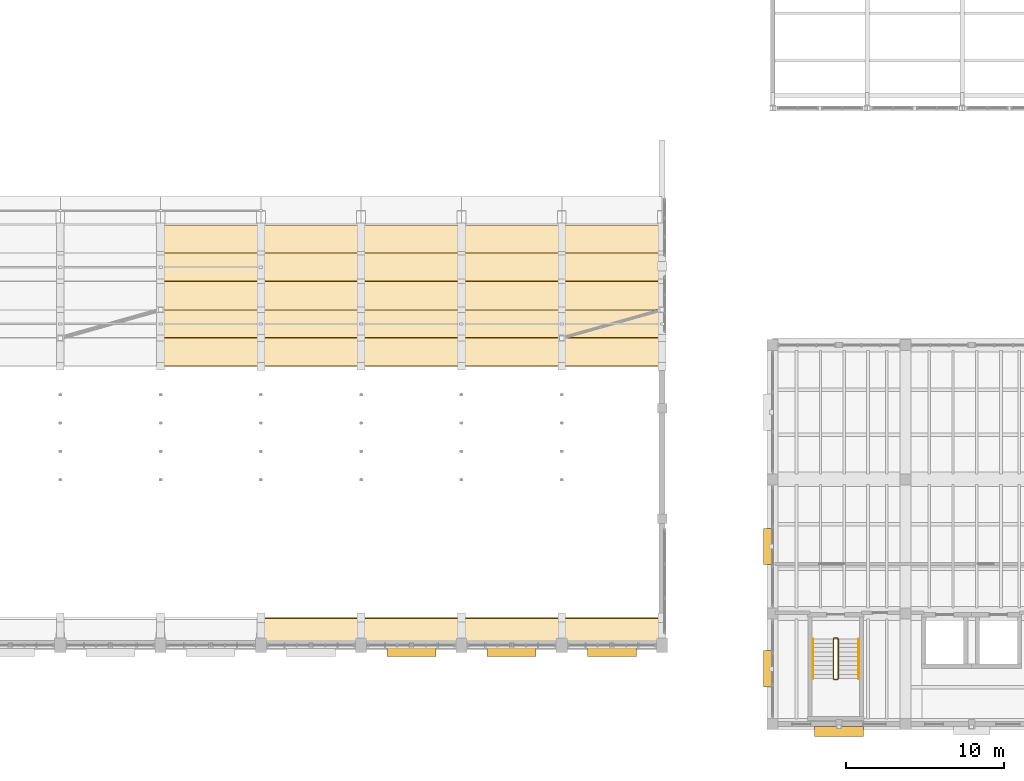
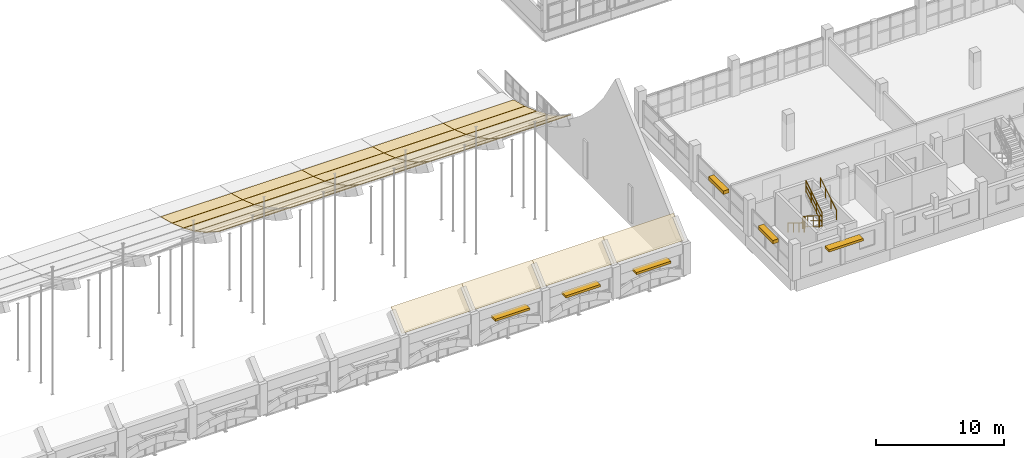
# One storey, part 74 of 77: 29 coverings, 6 railings, 6 shading devices.
"""IFC4 building model written with IfcOpenShell, lengths in metres."""

from ifc_helpers import new_model, si_unit, direction, frame, origin, origin_2d, place, context, subcontext, project, spatial, polyline, rectangle, circle, outline, extrude, material, layer, layer_set, type_object, element, save


model = new_model("IFC4")

# Units and contexts
model_context = context("Model", 3, precision=1e-05, world=origin(), true_north=direction((0.0, 1.0)))
body_context = subcontext(model_context, "Body", "Model", "MODEL_VIEW")
ifc_project = project(units=[si_unit("LENGTHUNIT", "METRE"), si_unit("AREAUNIT", "SQUARE_METRE"), si_unit("VOLUMEUNIT", "CUBIC_METRE"), si_unit("PLANEANGLEUNIT", "RADIAN"), si_unit("MASSUNIT", "GRAM", prefix="KILO")], contexts=[model_context])

# Site, building, storey
site_placement = place(None, origin())
site = spatial("IfcSite", under=ifc_project, at=site_placement, CompositionType="ELEMENT")
building_placement = place(site_placement, origin())
building = spatial("IfcBuilding", under=site, at=building_placement, Name="Trellovar Central Fire Station", CompositionType="ELEMENT")
storey_placement = place(building_placement, frame((0.0, 0.0, 5.85009765625)))
storey = spatial("IfcBuildingStorey", under=building, at=storey_placement, Name="L02", CompositionType="ELEMENT", Elevation=5.85009765625)

# Coverings
ifc_material_1 = material(Name="Glazed ceramic trencadis roofing", Category="masonry")
ifc_layer_1 = layer(ifc_material_1, 0.06005859375)
ifc_layer_set_1 = layer_set([ifc_layer_1], Name="Glazed ceramic trencadis roofing")
covering_type = type_object("IfcCoveringType", Name="COV-RF1", PredefinedType="ROOFING", material=ifc_layer_set_1)
covering_1_placement = place(storey_placement, frame((66.75, 31.688232421875, 4.226806640625), z_axis=(0.0, 0.549543979081, 0.835464789836), x_axis=(1.0, 0.0, 0.0)))
element("IfcCovering", 1, at=covering_1_placement, inside=storey, type_object=covering_type, Name="Glazed trencadis vault covering V1-06-11", PredefinedType="ROOFING", context=body_context, shape_type="SweptSolid", body=[
    extrude(outline(polyline([(0.0, 0.0), (6.35009765625, 0.0), (6.35009765625, 2.1022401872783076), (0.0, 2.1022401872783076), (0.0, 0.0)])), origin(), (0.0, 0.0, -1.0), 0.06005859375),
])
covering_2_placement = place(storey_placement, frame((66.75, 33.477294921875, 3.0537109375), z_axis=(0.0, 0.476141734804, 0.879368550937), x_axis=(1.0, 0.0, 0.0)))
element("IfcCovering", 2, at=covering_2_placement, inside=storey, type_object=covering_type, Name="Glazed trencadis vault covering V1-06-12", PredefinedType="ROOFING", context=body_context, shape_type="SweptSolid", body=[
    extrude(outline(polyline([(0.0, 0.0), (6.35009765625, 0.0), (6.35009765625, 2.002280142522104), (0.0, 2.002280142522104), (0.0, 0.0)])), origin(), (0.0, 0.0, -1.0), 0.06005859375),
])
covering_3_placement = place(storey_placement, frame((66.75, 35.26611328125, 2.087646484375), z_axis=(0.0, 0.402929505594, 0.915231016477), x_axis=(1.0, 0.0, 0.0)))
element("IfcCovering", 3, at=covering_3_placement, inside=storey, type_object=covering_type, Name="Glazed trencadis vault covering V1-06-13", PredefinedType="ROOFING", context=body_context, shape_type="SweptSolid", body=[
    extrude(outline(polyline([(0.0, 0.0), (6.35009765625, 0.0), (6.35009765625, 1.9286242347254414), (0.0, 1.9286242347254414), (0.0, 0.0)])), origin(), (0.0, 0.0, -1.0), 0.06005859375),
])
covering_4_placement = place(storey_placement, frame((66.75, 37.05517578125, 1.302001953125), z_axis=(0.0, 0.329561198242, 0.94413421536), x_axis=(1.0, 0.0, 0.0)))
element("IfcCovering", 4, at=covering_4_placement, inside=storey, type_object=covering_type, Name="Glazed trencadis vault covering V1-06-14", PredefinedType="ROOFING", context=body_context, shape_type="SweptSolid", body=[
    extrude(outline(polyline([(0.0, 0.0), (6.35009765625, 0.0), (6.35009765625, 1.8742369688674272), (0.0, 1.8742369688674272), (0.0, 0.0)])), origin(), (0.0, 0.0, -1.0), 0.06005859375),
])
covering_5_placement = place(storey_placement, frame((66.75, 38.843994140625, 0.678955078125), z_axis=(0.0, 0.256345926004, 0.966585105524), x_axis=(1.0, 0.0, 0.0)))
element("IfcCovering", 5, at=covering_5_placement, inside=storey, type_object=covering_type, Name="Glazed trencadis vault covering V1-06-15", PredefinedType="ROOFING", context=body_context, shape_type="SweptSolid", body=[
    extrude(outline(polyline([(0.0, 0.0), (6.35009765625, 0.0), (6.35009765625, 1.8352504824580702), (0.0, 1.8352504824580702), (0.0, 0.0)])), origin(), (0.0, 0.0, -1.0), 0.06005859375),
])
covering_6_placement = place(storey_placement, frame((73.10009765625, 14.001953125, 3.01171875), z_axis=(0.0, -0.667689886388, 0.744439531202), x_axis=(1.0, 0.0, 0.0)))
element("IfcCovering", 6, at=covering_6_placement, inside=storey, type_object=covering_type, Name="Glazed trencadis vault covering V1-07-01", PredefinedType="ROOFING", context=body_context, shape_type="SweptSolid", body=[
    extrude(outline(polyline([(0.0, 0.0), (6.349853515625, 0.0), (6.349853515625, 2.287139045399087), (0.0, 2.287139045399087), (0.0, 0.0)])), origin(), (0.0, 0.0, -1.0), 0.06005859375),
])
covering_7_placement = place(storey_placement, frame((73.10009765625, 31.688232421875, 4.226806640625), z_axis=(0.0, 0.549543979081, 0.835464789836), x_axis=(1.0, 0.0, 0.0)))
element("IfcCovering", 7, at=covering_7_placement, inside=storey, type_object=covering_type, Name="Glazed trencadis vault covering V1-07-11", PredefinedType="ROOFING", context=body_context, shape_type="SweptSolid", body=[
    extrude(outline(polyline([(0.0, 0.0), (6.349853515625, 0.0), (6.349853515625, 2.102240187278308), (0.0, 2.102240187278308), (0.0, 0.0)])), origin(), (0.0, 0.0, -1.0), 0.06005859375),
])
covering_8_placement = place(storey_placement, frame((73.10009765625, 33.477294921875, 3.0537109375), z_axis=(0.0, 0.476141734804, 0.879368550937), x_axis=(1.0, 0.0, 0.0)))
element("IfcCovering", 8, at=covering_8_placement, inside=storey, type_object=covering_type, Name="Glazed trencadis vault covering V1-07-12", PredefinedType="ROOFING", context=body_context, shape_type="SweptSolid", body=[
    extrude(outline(polyline([(0.0, 0.0), (6.349853515625, 0.0), (6.349853515625, 2.0022801425221037), (0.0, 2.0022801425221037), (0.0, 0.0)])), origin(), (0.0, 0.0, -1.0), 0.06005859375),
])
covering_9_placement = place(storey_placement, frame((73.10009765625, 35.26611328125, 2.087646484375), z_axis=(0.0, 0.402929505594, 0.915231016477), x_axis=(1.0, 0.0, 0.0)))
element("IfcCovering", 9, at=covering_9_placement, inside=storey, type_object=covering_type, Name="Glazed trencadis vault covering V1-07-13", PredefinedType="ROOFING", context=body_context, shape_type="SweptSolid", body=[
    extrude(outline(polyline([(0.0, 0.0), (6.349853515625, 0.0), (6.349853515625, 1.9286242347254412), (0.0, 1.9286242347254412), (0.0, 0.0)])), origin(), (0.0, 0.0, -1.0), 0.06005859375),
])
covering_10_placement = place(storey_placement, frame((73.10009765625, 37.05517578125, 1.302001953125), z_axis=(0.0, 0.329561198242, 0.94413421536), x_axis=(1.0, 0.0, 0.0)))
element("IfcCovering", 10, at=covering_10_placement, inside=storey, type_object=covering_type, Name="Glazed trencadis vault covering V1-07-14", PredefinedType="ROOFING", context=body_context, shape_type="SweptSolid", body=[
    extrude(outline(polyline([(0.0, 0.0), (6.349853515625, 0.0), (6.349853515625, 1.8742369688674272), (0.0, 1.8742369688674272), (0.0, 0.0)])), origin(), (0.0, 0.0, -1.0), 0.06005859375),
])
covering_11_placement = place(storey_placement, frame((73.10009765625, 38.843994140625, 0.678955078125), z_axis=(0.0, 0.256345926004, 0.966585105524), x_axis=(1.0, 0.0, 0.0)))
element("IfcCovering", 11, at=covering_11_placement, inside=storey, type_object=covering_type, Name="Glazed trencadis vault covering V1-07-15", PredefinedType="ROOFING", context=body_context, shape_type="SweptSolid", body=[
    extrude(outline(polyline([(0.0, 0.0), (6.349853515625, 0.0), (6.349853515625, 1.8352504824580702), (0.0, 1.8352504824580702), (0.0, 0.0)])), origin(), (0.0, 0.0, -1.0), 0.06005859375),
])
covering_12_placement = place(storey_placement, frame((79.449951171875, 14.001953125, 3.01171875), z_axis=(0.0, -0.667689886388, 0.744439531202), x_axis=(1.0, 0.0, 0.0)))
element("IfcCovering", 12, at=covering_12_placement, inside=storey, type_object=covering_type, Name="Glazed trencadis vault covering V1-08-01", PredefinedType="ROOFING", context=body_context, shape_type="SweptSolid", body=[
    extrude(outline(polyline([(0.0, 0.0), (6.35009765625, 0.0), (6.35009765625, 2.287139045399086), (0.0, 2.287139045399086), (0.0, 0.0)])), origin(), (0.0, 0.0, -1.0), 0.06005859375),
])
covering_13_placement = place(storey_placement, frame((79.449951171875, 31.688232421875, 4.226806640625), z_axis=(0.0, 0.549543979081, 0.835464789836), x_axis=(1.0, 0.0, 0.0)))
element("IfcCovering", 13, at=covering_13_placement, inside=storey, type_object=covering_type, Name="Glazed trencadis vault covering V1-08-11", PredefinedType="ROOFING", context=body_context, shape_type="SweptSolid", body=[
    extrude(outline(polyline([(0.0, 0.0), (6.35009765625, 0.0), (6.35009765625, 2.1022401872783076), (0.0, 2.1022401872783076), (0.0, 0.0)])), origin(), (0.0, 0.0, -1.0), 0.06005859375),
])
covering_14_placement = place(storey_placement, frame((79.449951171875, 33.477294921875, 3.0537109375), z_axis=(0.0, 0.476141734804, 0.879368550937), x_axis=(1.0, 0.0, 0.0)))
element("IfcCovering", 14, at=covering_14_placement, inside=storey, type_object=covering_type, Name="Glazed trencadis vault covering V1-08-12", PredefinedType="ROOFING", context=body_context, shape_type="SweptSolid", body=[
    extrude(outline(polyline([(0.0, 0.0), (6.35009765625, 0.0), (6.35009765625, 2.002280142522104), (0.0, 2.002280142522104), (0.0, 0.0)])), origin(), (0.0, 0.0, -1.0), 0.06005859375),
])
covering_15_placement = place(storey_placement, frame((79.449951171875, 35.26611328125, 2.087646484375), z_axis=(0.0, 0.402929505594, 0.915231016477), x_axis=(1.0, 0.0, 0.0)))
element("IfcCovering", 15, at=covering_15_placement, inside=storey, type_object=covering_type, Name="Glazed trencadis vault covering V1-08-13", PredefinedType="ROOFING", context=body_context, shape_type="SweptSolid", body=[
    extrude(outline(polyline([(0.0, 0.0), (6.35009765625, 0.0), (6.35009765625, 1.9286242347254414), (0.0, 1.9286242347254414), (0.0, 0.0)])), origin(), (0.0, 0.0, -1.0), 0.06005859375),
])
covering_16_placement = place(storey_placement, frame((79.449951171875, 37.05517578125, 1.302001953125), z_axis=(0.0, 0.329561198242, 0.94413421536), x_axis=(1.0, 0.0, 0.0)))
element("IfcCovering", 16, at=covering_16_placement, inside=storey, type_object=covering_type, Name="Glazed trencadis vault covering V1-08-14", PredefinedType="ROOFING", context=body_context, shape_type="SweptSolid", body=[
    extrude(outline(polyline([(0.0, 0.0), (6.35009765625, 0.0), (6.35009765625, 1.8742369688674272), (0.0, 1.8742369688674272), (0.0, 0.0)])), origin(), (0.0, 0.0, -1.0), 0.06005859375),
])
covering_17_placement = place(storey_placement, frame((79.449951171875, 38.843994140625, 0.678955078125), z_axis=(0.0, 0.256345926004, 0.966585105524), x_axis=(1.0, 0.0, 0.0)))
element("IfcCovering", 17, at=covering_17_placement, inside=storey, type_object=covering_type, Name="Glazed trencadis vault covering V1-08-15", PredefinedType="ROOFING", context=body_context, shape_type="SweptSolid", body=[
    extrude(outline(polyline([(0.0, 0.0), (6.35009765625, 0.0), (6.35009765625, 1.8352504824580702), (0.0, 1.8352504824580702), (0.0, 0.0)])), origin(), (0.0, 0.0, -1.0), 0.06005859375),
])
covering_18_placement = place(storey_placement, frame((85.800048828125, 14.001953125, 3.01171875), z_axis=(0.0, -0.667689886388, 0.744439531202), x_axis=(1.0, 0.0, 0.0)))
element("IfcCovering", 18, at=covering_18_placement, inside=storey, type_object=covering_type, Name="Glazed trencadis vault covering V1-09-01", PredefinedType="ROOFING", context=body_context, shape_type="SweptSolid", body=[
    extrude(outline(polyline([(0.0, 0.0), (6.349853515625, 0.0), (6.349853515625, 2.287139045399087), (0.0, 2.287139045399087), (0.0, 0.0)])), origin(), (0.0, 0.0, -1.0), 0.06005859375),
])
covering_19_placement = place(storey_placement, frame((85.800048828125, 31.688232421875, 4.226806640625), z_axis=(0.0, 0.549543979081, 0.835464789836), x_axis=(1.0, 0.0, 0.0)))
element("IfcCovering", 19, at=covering_19_placement, inside=storey, type_object=covering_type, Name="Glazed trencadis vault covering V1-09-11", PredefinedType="ROOFING", context=body_context, shape_type="SweptSolid", body=[
    extrude(outline(polyline([(0.0, 0.0), (6.349853515625, 0.0), (6.349853515625, 2.102240187278308), (0.0, 2.102240187278308), (0.0, 0.0)])), origin(), (0.0, 0.0, -1.0), 0.06005859375),
])
covering_20_placement = place(storey_placement, frame((85.800048828125, 33.477294921875, 3.0537109375), z_axis=(0.0, 0.476141734804, 0.879368550937), x_axis=(1.0, 0.0, 0.0)))
element("IfcCovering", 20, at=covering_20_placement, inside=storey, type_object=covering_type, Name="Glazed trencadis vault covering V1-09-12", PredefinedType="ROOFING", context=body_context, shape_type="SweptSolid", body=[
    extrude(outline(polyline([(0.0, 0.0), (6.349853515625, 0.0), (6.349853515625, 2.0022801425221037), (0.0, 2.0022801425221037), (0.0, 0.0)])), origin(), (0.0, 0.0, -1.0), 0.06005859375),
])
covering_21_placement = place(storey_placement, frame((85.800048828125, 35.26611328125, 2.087646484375), z_axis=(0.0, 0.402929505594, 0.915231016477), x_axis=(1.0, 0.0, 0.0)))
element("IfcCovering", 21, at=covering_21_placement, inside=storey, type_object=covering_type, Name="Glazed trencadis vault covering V1-09-13", PredefinedType="ROOFING", context=body_context, shape_type="SweptSolid", body=[
    extrude(outline(polyline([(0.0, 0.0), (6.349853515625, 0.0), (6.349853515625, 1.9286242347254412), (0.0, 1.9286242347254412), (0.0, 0.0)])), origin(), (0.0, 0.0, -1.0), 0.06005859375),
])
covering_22_placement = place(storey_placement, frame((85.800048828125, 37.05517578125, 1.302001953125), z_axis=(0.0, 0.329561198242, 0.94413421536), x_axis=(1.0, 0.0, 0.0)))
element("IfcCovering", 22, at=covering_22_placement, inside=storey, type_object=covering_type, Name="Glazed trencadis vault covering V1-09-14", PredefinedType="ROOFING", context=body_context, shape_type="SweptSolid", body=[
    extrude(outline(polyline([(0.0, 0.0), (6.349853515625, 0.0), (6.349853515625, 1.8742369688674272), (0.0, 1.8742369688674272), (0.0, 0.0)])), origin(), (0.0, 0.0, -1.0), 0.06005859375),
])
covering_23_placement = place(storey_placement, frame((85.800048828125, 38.843994140625, 0.678955078125), z_axis=(0.0, 0.256345926004, 0.966585105524), x_axis=(1.0, 0.0, 0.0)))
element("IfcCovering", 23, at=covering_23_placement, inside=storey, type_object=covering_type, Name="Glazed trencadis vault covering V1-09-15", PredefinedType="ROOFING", context=body_context, shape_type="SweptSolid", body=[
    extrude(outline(polyline([(0.0, 0.0), (6.349853515625, 0.0), (6.349853515625, 1.8352504824580702), (0.0, 1.8352504824580702), (0.0, 0.0)])), origin(), (0.0, 0.0, -1.0), 0.06005859375),
])
covering_24_placement = place(storey_placement, frame((92.14990234375, 14.001953125, 3.01171875), z_axis=(0.0, -0.667689886388, 0.744439531202), x_axis=(1.0, 0.0, 0.0)))
element("IfcCovering", 24, at=covering_24_placement, inside=storey, type_object=covering_type, Name="Glazed trencadis vault covering V1-10-01", PredefinedType="ROOFING", context=body_context, shape_type="SweptSolid", body=[
    extrude(outline(polyline([(0.0, 0.0), (6.35009765625, 0.0), (6.35009765625, 2.287139045399086), (0.0, 2.287139045399086), (0.0, 0.0)])), origin(), (0.0, 0.0, -1.0), 0.06005859375),
])
covering_25_placement = place(storey_placement, frame((92.14990234375, 31.688232421875, 4.226806640625), z_axis=(0.0, 0.549543979081, 0.835464789836), x_axis=(1.0, 0.0, 0.0)))
element("IfcCovering", 25, at=covering_25_placement, inside=storey, type_object=covering_type, Name="Glazed trencadis vault covering V1-10-11", PredefinedType="ROOFING", context=body_context, shape_type="SweptSolid", body=[
    extrude(outline(polyline([(0.0, 0.0), (6.35009765625, 0.0), (6.35009765625, 2.1022401872783076), (0.0, 2.1022401872783076), (0.0, 0.0)])), origin(), (0.0, 0.0, -1.0), 0.06005859375),
])
covering_26_placement = place(storey_placement, frame((92.14990234375, 33.477294921875, 3.0537109375), z_axis=(0.0, 0.476141734804, 0.879368550937), x_axis=(1.0, 0.0, 0.0)))
element("IfcCovering", 26, at=covering_26_placement, inside=storey, type_object=covering_type, Name="Glazed trencadis vault covering V1-10-12", PredefinedType="ROOFING", context=body_context, shape_type="SweptSolid", body=[
    extrude(outline(polyline([(0.0, 0.0), (6.35009765625, 0.0), (6.35009765625, 2.002280142522104), (0.0, 2.002280142522104), (0.0, 0.0)])), origin(), (0.0, 0.0, -1.0), 0.06005859375),
])
covering_27_placement = place(storey_placement, frame((92.14990234375, 35.26611328125, 2.087646484375), z_axis=(0.0, 0.402929505594, 0.915231016477), x_axis=(1.0, 0.0, 0.0)))
element("IfcCovering", 27, at=covering_27_placement, inside=storey, type_object=covering_type, Name="Glazed trencadis vault covering V1-10-13", PredefinedType="ROOFING", context=body_context, shape_type="SweptSolid", body=[
    extrude(outline(polyline([(0.0, 0.0), (6.35009765625, 0.0), (6.35009765625, 1.9286242347254414), (0.0, 1.9286242347254414), (0.0, 0.0)])), origin(), (0.0, 0.0, -1.0), 0.06005859375),
])
covering_28_placement = place(storey_placement, frame((92.14990234375, 37.05517578125, 1.302001953125), z_axis=(0.0, 0.329561198242, 0.94413421536), x_axis=(1.0, 0.0, 0.0)))
element("IfcCovering", 28, at=covering_28_placement, inside=storey, type_object=covering_type, Name="Glazed trencadis vault covering V1-10-14", PredefinedType="ROOFING", context=body_context, shape_type="SweptSolid", body=[
    extrude(outline(polyline([(0.0, 0.0), (6.35009765625, 0.0), (6.35009765625, 1.8742369688674272), (0.0, 1.8742369688674272), (0.0, 0.0)])), origin(), (0.0, 0.0, -1.0), 0.06005859375),
])
covering_29_placement = place(storey_placement, frame((92.14990234375, 38.843994140625, 0.678955078125), z_axis=(0.0, 0.256345926004, 0.966585105524), x_axis=(1.0, 0.0, 0.0)))
element("IfcCovering", 29, at=covering_29_placement, inside=storey, type_object=covering_type, Name="Glazed trencadis vault covering V1-10-15", PredefinedType="ROOFING", context=body_context, shape_type="SweptSolid", body=[
    extrude(outline(polyline([(0.0, 0.0), (6.35009765625, 0.0), (6.35009765625, 1.8352504824580702), (0.0, 1.8352504824580702), (0.0, 0.0)])), origin(), (0.0, 0.0, -1.0), 0.06005859375),
])

# Railings
ifc_material_2 = material(Name="Patina bronze wrought metalwork", Category="metal")
ifc_layer_2 = layer(ifc_material_2, 0.048095703125)
ifc_layer_set_2 = layer_set([ifc_layer_2], Name="Patina bronze wrought metalwork")
railing_type_1 = type_object("IfcRailingType", Name="RL-STAIR", PredefinedType="HANDRAIL", material=ifc_layer_set_2)
railing_1_placement = place(storey_placement, frame((108.050048828125, 14.39990234375, 0.17236328125)))
element("IfcRailing", 30, at=railing_1_placement, inside=storey, type_object=railing_type_1, Name="L02 ST-01 stair handrail 1", PredefinedType="HANDRAIL", context=body_context, shape_type="SweptSolid", body=[
    extrude(circle(Radius=0.02392578125, at=origin_2d()), frame((0.0, 0.0, 0.8759765625), z_axis=(0.0, -0.851400495292, 0.524516154772), x_axis=(1.0, 0.0, 0.0)), (0.0, 0.0, 1.0), 2.9599609375),
    extrude(circle(Radius=0.02099609375, at=origin_2d()), origin(), (0.0, 0.0, 1.0), 0.851806640625),
    extrude(circle(Radius=0.02099609375, at=origin_2d()), frame((0.0, -0.840087890625, 0.517578125)), (0.0, 0.0, 1.0), 0.851806640625),
    extrude(circle(Radius=0.02099609375, at=origin_2d()), frame((0.0, -1.679931640625, 1.034912109375)), (0.0, 0.0, 1.0), 0.851806640625),
    extrude(circle(Radius=0.02099609375, at=origin_2d()), frame((0.0, -2.52001953125, 1.552490234375)), (0.0, 0.0, 1.0), 0.851806640625),
])
railing_2_placement = place(storey_placement, frame((110.949951171875, 11.8798828125, 1.8974609375)))
element("IfcRailing", 31, at=railing_2_placement, inside=storey, type_object=railing_type_1, Name="L02 ST-01 stair handrail 2", PredefinedType="HANDRAIL", context=body_context, shape_type="SweptSolid", body=[
    extrude(circle(Radius=0.02392578125, at=origin_2d()), frame((0.0, 0.0, 0.8759765625), z_axis=(0.0, 0.851400495292, 0.524516154772), x_axis=(-1.0, 0.0, 0.0)), (0.0, 0.0, 1.0), 2.9599609375),
    extrude(circle(Radius=0.02099609375, at=origin_2d()), origin(), (0.0, 0.0, 1.0), 0.851806640625),
    extrude(circle(Radius=0.02099609375, at=origin_2d()), frame((0.0, 0.840087890625, 0.517578125)), (0.0, 0.0, 1.0), 0.851806640625),
    extrude(circle(Radius=0.02099609375, at=origin_2d()), frame((0.0, 1.679931640625, 1.034912109375)), (0.0, 0.0, 1.0), 0.851806640625),
    extrude(circle(Radius=0.02099609375, at=origin_2d()), frame((0.0, 2.52001953125, 1.552490234375)), (0.0, 0.0, 1.0), 0.851806640625),
])
ifc_material_3 = material(Name="Patina bronze wrought metalwork", Category="metal")
ifc_layer_3 = layer(ifc_material_3, 0.050048828125)
ifc_layer_set_3 = layer_set([ifc_layer_3], Name="Patina bronze wrought metalwork")
railing_type_2 = type_object("IfcRailingType", Name="RL-STGUARD", PredefinedType="GUARDRAIL", material=ifc_layer_set_3)
railing_3_placement = place(storey_placement, frame((109.35009765625, 14.39990234375, 0.17236328125)))
element("IfcRailing", 32, at=railing_3_placement, inside=storey, type_object=railing_type_2, Name="L02 ST-01 stair guard 1", PredefinedType="GUARDRAIL", context=body_context, shape_type="SweptSolid", body=[
    extrude(circle(Radius=0.02392578125, at=origin_2d()), frame((0.0, 0.0, 1.076171875), z_axis=(0.0, -0.851400495292, 0.524516154772), x_axis=(1.0, 0.0, 0.0)), (0.0, 0.0, 1.0), 2.9599609375),
    extrude(circle(Radius=0.015625, at=origin_2d()), frame((0.0, 0.0, 0.10009765625), z_axis=(0.0, -0.851400495292, 0.524516154772), x_axis=(1.0, 0.0, 0.0)), (0.0, 0.0, 1.0), 2.9599609375),
    extrude(circle(Radius=0.015625, at=origin_2d()), frame((0.0, 0.0, 0.60498046875), z_axis=(0.0, -0.851400495292, 0.524516154772), x_axis=(1.0, 0.0, 0.0)), (0.0, 0.0, 1.0), 2.9599609375),
    extrude(circle(Radius=0.02099609375, at=origin_2d()), origin(), (0.0, 0.0, 1.0), 1.052001953125),
    extrude(circle(Radius=0.02099609375, at=origin_2d()), frame((0.0, -0.840087890625, 0.517578125)), (0.0, 0.0, 1.0), 1.052001953125),
    extrude(circle(Radius=0.02099609375, at=origin_2d()), frame((0.0, -1.679931640625, 1.034912109375)), (0.0, 0.0, 1.0), 1.052001953125),
    extrude(circle(Radius=0.02099609375, at=origin_2d()), frame((0.0, -2.52001953125, 1.552490234375)), (0.0, 0.0, 1.0), 1.052001953125),
])
railing_4_placement = place(storey_placement, frame((109.39990234375, 11.830078125, 1.724853515625)))
element("IfcRailing", 33, at=railing_4_placement, inside=storey, type_object=railing_type_2, Name="L02 ST-01 stair guard 2", PredefinedType="GUARDRAIL", context=body_context, shape_type="SweptSolid", body=[
    extrude(circle(Radius=0.02392578125, at=origin_2d()), frame((0.0, 0.0, 1.076171875), z_axis=(1.0, 0.0, 0.0), x_axis=(0.0, 1.0, 0.0)), (0.0, 0.0, 1.0), 0.2001953125),
    extrude(circle(Radius=0.015625, at=origin_2d()), frame((0.0, 0.0, 0.10009765625), z_axis=(1.0, 0.0, 0.0), x_axis=(0.0, 1.0, 0.0)), (0.0, 0.0, 1.0), 0.2001953125),
    extrude(circle(Radius=0.015625, at=origin_2d()), frame((0.0, 0.0, 0.60498046875), z_axis=(1.0, 0.0, 0.0), x_axis=(0.0, 1.0, 0.0)), (0.0, 0.0, 1.0), 0.2001953125),
    extrude(circle(Radius=0.02099609375, at=origin_2d()), origin(), (0.0, 0.0, 1.0), 1.052001953125),
    extrude(circle(Radius=0.02099609375, at=origin_2d()), frame((0.2001953125, 0.0, 0.0)), (0.0, 0.0, 1.0), 1.052001953125),
])
railing_5_placement = place(storey_placement, frame((109.64990234375, 11.8798828125, 1.8974609375)))
element("IfcRailing", 34, at=railing_5_placement, inside=storey, type_object=railing_type_2, Name="L02 ST-01 stair guard 3", PredefinedType="GUARDRAIL", context=body_context, shape_type="SweptSolid", body=[
    extrude(circle(Radius=0.02392578125, at=origin_2d()), frame((0.0, 0.0, 1.076171875), z_axis=(0.0, 0.851400495292, 0.524516154772), x_axis=(-1.0, 0.0, 0.0)), (0.0, 0.0, 1.0), 2.9599609375),
    extrude(circle(Radius=0.015625, at=origin_2d()), frame((0.0, 0.0, 0.10009765625), z_axis=(0.0, 0.851400495292, 0.524516154772), x_axis=(-1.0, 0.0, 0.0)), (0.0, 0.0, 1.0), 2.9599609375),
    extrude(circle(Radius=0.015625, at=origin_2d()), frame((0.0, 0.0, 0.60498046875), z_axis=(0.0, 0.851400495292, 0.524516154772), x_axis=(-1.0, 0.0, 0.0)), (0.0, 0.0, 1.0), 2.9599609375),
    extrude(circle(Radius=0.02099609375, at=origin_2d()), origin(), (0.0, 0.0, 1.0), 1.052001953125),
    extrude(circle(Radius=0.02099609375, at=origin_2d()), frame((0.0, 0.840087890625, 0.517578125)), (0.0, 0.0, 1.0), 1.052001953125),
    extrude(circle(Radius=0.02099609375, at=origin_2d()), frame((0.0, 1.679931640625, 1.034912109375)), (0.0, 0.0, 1.0), 1.052001953125),
    extrude(circle(Radius=0.02099609375, at=origin_2d()), frame((0.0, 2.52001953125, 1.552490234375)), (0.0, 0.0, 1.0), 1.052001953125),
])
railing_6_placement = place(storey_placement, frame((109.39990234375, 14.449951171875, 0.0)))
element("IfcRailing", 35, at=railing_6_placement, inside=storey, type_object=railing_type_2, Name="L02 ST-01 stair guard 4", PredefinedType="GUARDRAIL", context=body_context, shape_type="SweptSolid", body=[
    extrude(circle(Radius=0.02392578125, at=origin_2d()), frame((0.0, 0.0, 1.076171875), z_axis=(1.0, 0.0, 0.0), x_axis=(0.0, 1.0, 0.0)), (0.0, 0.0, 1.0), 0.2001953125),
    extrude(circle(Radius=0.015625, at=origin_2d()), frame((0.0, 0.0, 0.10009765625), z_axis=(1.0, 0.0, 0.0), x_axis=(0.0, 1.0, 0.0)), (0.0, 0.0, 1.0), 0.2001953125),
    extrude(circle(Radius=0.015625, at=origin_2d()), frame((0.0, 0.0, 0.60498046875), z_axis=(1.0, 0.0, 0.0), x_axis=(0.0, 1.0, 0.0)), (0.0, 0.0, 1.0), 0.2001953125),
    extrude(circle(Radius=0.02099609375, at=origin_2d()), origin(), (0.0, 0.0, 1.0), 1.052001953125),
    extrude(circle(Radius=0.02099609375, at=origin_2d()), frame((0.2001953125, 0.0, 0.0)), (0.0, 0.0, 1.0), 1.052001953125),
])

# Shading devices
ifc_material_4 = material(Name="Glazed ceramic trencadis and terracotta panel", Category="masonry")
shading_device_type_1 = type_object("IfcShadingDeviceType", Name="SHD-LV1", PredefinedType="JALOUSIE", material=ifc_material_4)
for number, where, z_axis, x_axis, name in (
    (36, (105.18505859375, 12.5, 1.97998046875), (0.0, 0.0, 1.0), (0.0, 1.0, 0.0), "L02 Catalan solar brise-soleil LV-1"),
    (37, (105.18505859375, 20.25, 1.97998046875), (0.0, 0.0, 1.0), (0.0, 1.0, 0.0), "L02 Catalan solar brise-soleil LV-1"),
):
    element("IfcShadingDevice", number, at=place(storey_placement, frame(where, z_axis=z_axis, x_axis=x_axis)), inside=storey, type_object=shading_device_type_1, Name=name, PredefinedType="JALOUSIE", context=body_context, shape_type="SweptSolid", body=[
        extrude(rectangle(XDim=2.300048828125, YDim=0.5, at=origin_2d()), origin(), (0.0, 0.0, 1.0), 0.340087890625),
    ])
ifc_material_5 = material(Name="Patina bronze wrought metalwork", Category="metal")
shading_device_type_2 = type_object("IfcShadingDeviceType", Name="SHD-LV4", PredefinedType="AWNING", material=ifc_material_5)
for number, where, z_axis, x_axis, name in (
    (38, (82.625, 13.610107421875, 1.7900390625), (0.0, 0.0, 1.0), (1.0, 0.0, 0.0), "L02 Catalan solar brise-soleil LV-4"),
    (39, (88.97509765625, 13.610107421875, 1.7900390625), (0.0, 0.0, 1.0), (1.0, 0.0, 0.0), "L02 Catalan solar brise-soleil LV-4"),
    (40, (95.324951171875, 13.610107421875, 1.7900390625), (0.0, 0.0, 1.0), (1.0, 0.0, 0.0), "L02 Catalan solar brise-soleil LV-4"),
    (41, (109.699951171875, 8.530029296875, 1.98974609375), (0.0, 0.0, 1.0), (1.0, 0.0, 0.0), "L02 Catalan solar brise-soleil LV-4"),
):
    element("IfcShadingDevice", number, at=place(storey_placement, frame(where, z_axis=z_axis, x_axis=x_axis)), inside=storey, type_object=shading_device_type_2, Name=name, PredefinedType="AWNING", context=body_context, shape_type="SweptSolid", body=[
        extrude(rectangle(XDim=3.10009765625, YDim=0.64990234375, at=origin_2d()), origin(), (0.0, 0.0, 1.0), 0.219970703125),
    ])

save(model, "model.ifc")
